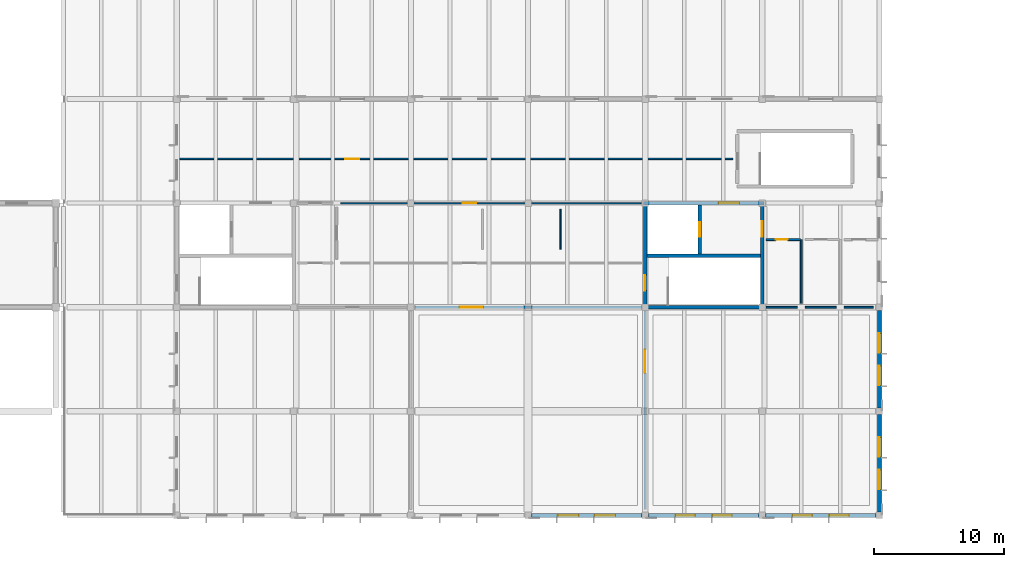
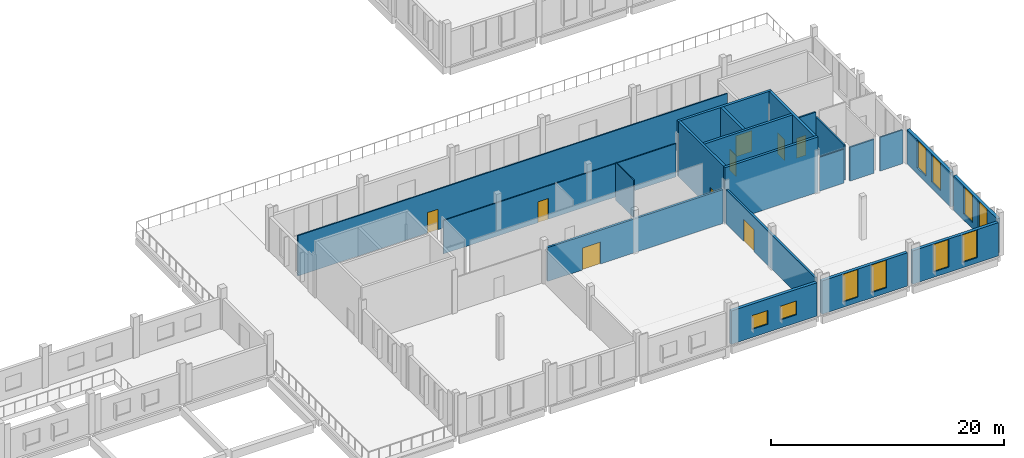
# One storey, part 13 of 25: 21 walls, 10 windows, 9 doors, 19 openings.
"""IFC4 building model written with IfcOpenShell, lengths in metres."""

from ifc_helpers import new_model, si_unit, direction, frame, frame_2d, origin, place, context, subcontext, project, spatial, rectangle, extrude, material, layer, layer_set, type_object, element, fill, save


model = new_model("IFC4")

# Units and contexts
model_context = context("Model", 3, precision=1e-05, world=origin(), true_north=direction((0.0, 1.0)))
body_context = subcontext(model_context, "Body", "Model", "MODEL_VIEW")
ifc_project = project(units=[si_unit("LENGTHUNIT", "METRE"), si_unit("AREAUNIT", "SQUARE_METRE"), si_unit("VOLUMEUNIT", "CUBIC_METRE"), si_unit("PLANEANGLEUNIT", "RADIAN"), si_unit("MASSUNIT", "GRAM", prefix="KILO")], contexts=[model_context])

# Site, building, storey
site_placement = place(None, origin())
site = spatial("IfcSite", under=ifc_project, at=site_placement, CompositionType="ELEMENT")
building_placement = place(site_placement, origin())
building = spatial("IfcBuilding", under=site, at=building_placement, Name="Zacnel Wholesale Market", CompositionType="ELEMENT")
storey_placement = place(building_placement, frame((0.0, 0.0, 15.75)))
storey = spatial("IfcBuildingStorey", under=building, at=storey_placement, Name="L04", CompositionType="ELEMENT", Elevation=15.75)

# Wall, opening, door
ifc_material_1 = material(Name="PIR insulated cold-store panel")
ifc_layer_1 = layer(ifc_material_1, 0.2099609375)
ifc_layer_set_1 = layer_set([ifc_layer_1], Name="PIR insulated cold-store panel")
wall_type_1 = type_object("IfcWallType", Name="WL-COLD-INT210", PredefinedType="STANDARD", material=ifc_layer_set_1)
wall_1_placement = place(storey_placement, frame((171.300048828125, 16.0, 0.0), z_axis=(0.0, 0.0, 1.0), x_axis=(1.0, 0.0, 0.0)))
wall_1 = element("IfcWall", 1, at=wall_1_placement, inside=storey, type_object=wall_type_1, Name="Interior partition L04-0215", PredefinedType="STANDARD", context=body_context, shape_type="SweptSolid", body=[
    extrude(rectangle(XDim=17.39990234375, YDim=0.2099609375, at=frame_2d((8.699951171875, 0.0))), origin(), (0.0, 0.0, 1.0), 3.550048828125),
])
opening_1_placement = place(wall_1_placement, frame((3.449951171875, 0.0, 0.0)))
opening_1 = element("IfcOpeningElement", 2, at=opening_1_placement, cuts=wall_1, Name="Opening FD-03", PredefinedType="OPENING", context=body_context, shape_type="SweptSolid", body=[
    extrude(rectangle(XDim=1.800048828125, YDim=2.300048828125, at=frame_2d((0.89990234375, 1.14990234375))), frame((0.0, 0.114990234375, 0.0), z_axis=(0.0, -1.0, 0.0), x_axis=(1.0, 0.0, 0.0)), (0.0, 0.0, 1.0), 0.22998046875),
])
ifc_material_2 = material(Name="Galvanized steel", Category="steel")
door_type_1 = type_object("IfcDoorType", Name="DR-FIRE-COMP-1800", OperationType="NOTDEFINED", PredefinedType="DOOR", material=ifc_material_2)
door_1_placement = place(opening_1_placement, origin())
door_1 = element("IfcDoor", 3, at=door_1_placement, inside=storey, type_object=door_type_1, Name="Interior door L04-0168", OperationType="SINGLE_SWING_LEFT", OverallHeight=2.300048828125, OverallWidth=1.800048828125, PredefinedType="DOOR", context=body_context, shape_type="SweptSolid", body=[
    extrude(rectangle(XDim=1.800048828125, YDim=2.300048828125, at=frame_2d((0.89990234375, 1.14990234375))), frame((0.0, 0.02490234375, 0.0), z_axis=(0.0, -1.0, 0.0), x_axis=(1.0, 0.0, 0.0)), (0.0, 0.0, 1.0), 0.050048828125),
])
fill(opening_1, door_1)

wall_2_placement = place(storey_placement, frame((189.0, 0.449951171875, 0.0), z_axis=(0.0, 0.0, 1.0), x_axis=(0.0, 1.0, 0.0)))
wall_2 = element("IfcWall", 4, at=wall_2_placement, inside=storey, type_object=wall_type_1, Name="Interior partition L04-0219", PredefinedType="STANDARD", context=body_context, shape_type="SweptSolid", body=[
    extrude(rectangle(XDim=15.25, YDim=0.2099609375, at=frame_2d((7.625, 0.0))), origin(), (0.0, 0.0, 1.0), 3.60009765625),
])
opening_2_placement = place(wall_2_placement, frame((10.5, 0.0, 0.0)))
opening_2 = element("IfcOpeningElement", 5, at=opening_2_placement, cuts=wall_2, Name="Opening FD-03", PredefinedType="OPENING", context=body_context, shape_type="SweptSolid", body=[
    extrude(rectangle(XDim=1.800048828125, YDim=2.300048828125, at=frame_2d((0.89990234375, 1.14990234375))), frame((0.0, 0.114990234375, 0.0), z_axis=(0.0, -1.0, 0.0), x_axis=(1.0, 0.0, 0.0)), (0.0, 0.0, 1.0), 0.22998046875),
])
door_2_placement = place(opening_2_placement, origin())
door_2 = element("IfcDoor", 6, at=door_2_placement, inside=storey, type_object=door_type_1, Name="Interior door L04-0171", OperationType="SINGLE_SWING_RIGHT", OverallHeight=2.300048828125, OverallWidth=1.800048828125, PredefinedType="DOOR", context=body_context, shape_type="SweptSolid", body=[
    extrude(rectangle(XDim=1.800048828125, YDim=2.300048828125, at=frame_2d((0.89990234375, 1.14990234375))), frame((0.0, 0.02490234375, 0.0), z_axis=(0.0, -1.0, 0.0), x_axis=(1.0, 0.0, 0.0)), (0.0, 0.0, 1.0), 0.050048828125),
])
fill(opening_2, door_2)

# Wall
ifc_material_3 = material(Name="Concrete C40/50", Category="concrete")
ifc_layer_2 = layer(ifc_material_3, 0.25)
ifc_layer_set_2 = layer_set([ifc_layer_2], Name="Concrete C40/50")
wall_type_2 = type_object("IfcWallType", Name="WL-CORE-SW250", PredefinedType="SOLIDWALL", material=ifc_layer_set_2)
wall_3_placement = place(storey_placement, frame((188.875, 16.0, 0.0), z_axis=(0.0, 0.0, 1.0), x_axis=(1.0, 0.0, 0.0)))
element("IfcWall", 7, at=wall_3_placement, inside=storey, type_object=wall_type_2, Name="Core C2 south shear wall L04", PredefinedType="SOLIDWALL", context=body_context, shape_type="SweptSolid", body=[
    extrude(rectangle(XDim=9.25, YDim=0.25, at=frame_2d((4.625, 0.0))), origin(), (0.0, 0.0, 1.0), 5.800048828125),
])

# Wall, opening, door
wall_4_placement = place(storey_placement, frame((188.875, 24.0, 0.0), z_axis=(0.0, 0.0, 1.0), x_axis=(1.0, 0.0, 0.0)))
wall_4 = element("IfcWall", 8, at=wall_4_placement, inside=storey, type_object=wall_type_2, Name="Core C2 north shear wall L04", PredefinedType="SOLIDWALL", context=body_context, shape_type="SweptSolid", body=[
    extrude(rectangle(XDim=9.25, YDim=0.25, at=frame_2d((4.625, 0.0))), origin(), (0.0, 0.0, 1.0), 5.800048828125),
])
opening_3_placement = place(wall_4_placement, frame((5.77490234375, 0.0, 0.0)))
opening_3 = element("IfcOpeningElement", 9, at=opening_3_placement, cuts=wall_4, Name="Opening FD-02", PredefinedType="OPENING", context=body_context, shape_type="SweptSolid", body=[
    extrude(rectangle(XDim=1.60009765625, YDim=2.199951171875, at=frame_2d((0.800048828125, 1.10009765625))), frame((0.0, 0.135009765625, 0.0), z_axis=(0.0, -1.0, 0.0), x_axis=(1.0, 0.0, 0.0)), (0.0, 0.0, 1.0), 0.27001953125),
])
ifc_material_4 = material(Name="Galvanized steel", Category="steel")
door_type_2 = type_object("IfcDoorType", Name="DR-FIRE-LOBBY-1600", OperationType="NOTDEFINED", PredefinedType="DOOR", material=ifc_material_4)
door_3_placement = place(opening_3_placement, origin())
door_3 = element("IfcDoor", 10, at=door_3_placement, inside=storey, type_object=door_type_2, Name="Core lift lobby fire door C2 L04", OperationType="SINGLE_SWING_LEFT", OverallHeight=2.199951171875, OverallWidth=1.60009765625, PredefinedType="DOOR", context=body_context, shape_type="SweptSolid", body=[
    extrude(rectangle(XDim=1.60009765625, YDim=2.199951171875, at=frame_2d((0.800048828125, 1.10009765625))), frame((0.0, 0.02490234375, 0.0), z_axis=(0.0, -1.0, 0.0), x_axis=(1.0, 0.0, 0.0)), (0.0, 0.0, 1.0), 0.050048828125),
])
fill(opening_3, door_3)

wall_5_placement = place(storey_placement, frame((189.0, 16.125, 0.0), z_axis=(0.0, 0.0, 1.0), x_axis=(0.0, 1.0, 0.0)))
wall_5 = element("IfcWall", 11, at=wall_5_placement, inside=storey, type_object=wall_type_2, Name="Core C2 west shear wall L04", PredefinedType="SOLIDWALL", context=body_context, shape_type="SweptSolid", body=[
    extrude(rectangle(XDim=7.75, YDim=0.25, at=frame_2d((3.875, 0.0))), origin(), (0.0, 0.0, 1.0), 5.800048828125),
])
opening_4_placement = place(wall_5_placement, frame((1.14990234375, 0.0, 0.0)))
opening_4 = element("IfcOpeningElement", 12, at=opening_4_placement, cuts=wall_5, Name="Opening FD-01", PredefinedType="OPENING", context=body_context, shape_type="SweptSolid", body=[
    extrude(rectangle(XDim=1.199951171875, YDim=2.199951171875, at=frame_2d((0.60009765625, 1.10009765625))), frame((0.0, 0.135009765625, 0.0), z_axis=(0.0, -1.0, 0.0), x_axis=(1.0, 0.0, 0.0)), (0.0, 0.0, 1.0), 0.27001953125),
])
ifc_material_5 = material(Name="Galvanized steel", Category="steel")
door_type_3 = type_object("IfcDoorType", Name="DR-FIRE-STAIR-1200", OperationType="NOTDEFINED", PredefinedType="DOOR", material=ifc_material_5)
door_4_placement = place(opening_4_placement, origin())
door_4 = element("IfcDoor", 13, at=door_4_placement, inside=storey, type_object=door_type_3, Name="Protected stair fire door C2 L04", OperationType="SINGLE_SWING_RIGHT", OverallHeight=2.199951171875, OverallWidth=1.199951171875, PredefinedType="DOOR", context=body_context, shape_type="SweptSolid", body=[
    extrude(rectangle(XDim=1.199951171875, YDim=2.199951171875, at=frame_2d((0.60009765625, 1.10009765625))), frame((0.0, 0.02490234375, 0.0), z_axis=(0.0, -1.0, 0.0), x_axis=(1.0, 0.0, 0.0)), (0.0, 0.0, 1.0), 0.050048828125),
])
fill(opening_4, door_4)

wall_6_placement = place(storey_placement, frame((198.0, 16.125, 0.0), z_axis=(0.0, 0.0, 1.0), x_axis=(0.0, 1.0, 0.0)))
wall_6 = element("IfcWall", 14, at=wall_6_placement, inside=storey, type_object=wall_type_2, Name="Core C2 east shear wall L04", PredefinedType="SOLIDWALL", context=body_context, shape_type="SweptSolid", body=[
    extrude(rectangle(XDim=7.75, YDim=0.25, at=frame_2d((3.875, 0.0))), origin(), (0.0, 0.0, 1.0), 5.800048828125),
])
opening_5_placement = place(wall_6_placement, frame((5.300048828125, 0.0, 0.0)))
opening_5 = element("IfcOpeningElement", 15, at=opening_5_placement, cuts=wall_6, Name="Opening FD-01", PredefinedType="OPENING", context=body_context, shape_type="SweptSolid", body=[
    extrude(rectangle(XDim=1.199951171875, YDim=2.199951171875, at=frame_2d((0.60009765625, 1.10009765625))), frame((0.0, 0.135009765625, 0.0), z_axis=(0.0, -1.0, 0.0), x_axis=(1.0, 0.0, 0.0)), (0.0, 0.0, 1.0), 0.27001953125),
])
door_5_placement = place(opening_5_placement, origin())
door_5 = element("IfcDoor", 16, at=door_5_placement, inside=storey, type_object=door_type_3, Name="Core east passage fire door C2 L04", OperationType="SINGLE_SWING_RIGHT", OverallHeight=2.199951171875, OverallWidth=1.199951171875, PredefinedType="DOOR", context=body_context, shape_type="SweptSolid", body=[
    extrude(rectangle(XDim=1.199951171875, YDim=2.199951171875, at=frame_2d((0.60009765625, 1.10009765625))), frame((0.0, 0.02490234375, 0.0), z_axis=(0.0, -1.0, 0.0), x_axis=(1.0, 0.0, 0.0)), (0.0, 0.0, 1.0), 0.050048828125),
])
fill(opening_5, door_5)

# Wall
wall_7_placement = place(storey_placement, frame((189.125, 19.949951171875, 0.0), z_axis=(0.0, 0.0, 1.0), x_axis=(1.0, 0.0, 0.0)))
element("IfcWall", 17, at=wall_7_placement, inside=storey, type_object=wall_type_2, Name="Core C2 stair-shaft shear wall L04", PredefinedType="SOLIDWALL", context=body_context, shape_type="SweptSolid", body=[
    extrude(rectangle(XDim=8.75, YDim=0.25, at=frame_2d((4.375, 0.0))), origin(), (0.0, 0.0, 1.0), 5.800048828125),
])

# Wall, opening, door
wall_8_placement = place(storey_placement, frame((193.199951171875, 20.074951171875, 0.0), z_axis=(0.0, 0.0, 1.0), x_axis=(0.0, 1.0, 0.0)))
wall_8 = element("IfcWall", 18, at=wall_8_placement, inside=storey, type_object=wall_type_2, Name="Core C2 lift shaft front wall L04", PredefinedType="SOLIDWALL", context=body_context, shape_type="SweptSolid", body=[
    extrude(rectangle(XDim=3.800048828125, YDim=0.25, at=frame_2d((1.89990234375, 0.0))), origin(), (0.0, 0.0, 1.0), 5.800048828125),
])
opening_6_placement = place(wall_8_placement, frame((1.35009765625, 0.0, 0.0)))
opening_6 = element("IfcOpeningElement", 19, at=opening_6_placement, cuts=wall_8, Name="Opening LD-01", PredefinedType="OPENING", context=body_context, shape_type="SweptSolid", body=[
    extrude(rectangle(XDim=1.10009765625, YDim=2.199951171875, at=frame_2d((0.550048828125, 1.10009765625))), frame((0.0, 0.135009765625, 0.0), z_axis=(0.0, -1.0, 0.0), x_axis=(1.0, 0.0, 0.0)), (0.0, 0.0, 1.0), 0.27001953125),
])
ifc_material_6 = material(Name="Galvanized steel", Category="steel")
door_type_4 = type_object("IfcDoorType", Name="DR-LIFT-PASS-1100", OperationType="NOTDEFINED", PredefinedType="DOOR", material=ifc_material_6)
door_6_placement = place(opening_6_placement, origin())
door_6 = element("IfcDoor", 20, at=door_6_placement, inside=storey, type_object=door_type_4, Name="Lift landing door LP-02 L04", OperationType="SLIDING_TO_LEFT", OverallHeight=2.199951171875, OverallWidth=1.10009765625, PredefinedType="DOOR", context=body_context, shape_type="SweptSolid", body=[
    extrude(rectangle(XDim=1.10009765625, YDim=2.199951171875, at=frame_2d((0.550048828125, 1.10009765625))), frame((0.0, 0.02490234375, 0.0), z_axis=(0.0, -1.0, 0.0), x_axis=(1.0, 0.0, 0.0)), (0.0, 0.0, 1.0), 0.050048828125),
])
fill(opening_6, door_6)

# Wall, openings, windows
ifc_material_7 = material(Name="Precast concrete C40/50 (Cancun limestone aggregate)", Category="masonry")
ifc_layer_3 = layer(ifc_material_7, 0.300048828125)
ifc_layer_set_3 = layer_set([ifc_layer_3], Name="Precast concrete C40/50 (Cancun limestone aggregate)")
wall_type_3 = type_object("IfcWallType", Name="WL-EXT-LIME-300", PredefinedType="SOLIDWALL", material=ifc_layer_set_3)
wall_9_placement = place(storey_placement, frame((180.25, 0.0, 0.0), z_axis=(0.0, 0.0, 1.0), x_axis=(1.0, 0.0, 0.0)))
wall_9 = element("IfcWall", 21, at=wall_9_placement, inside=storey, type_object=wall_type_3, Name="Exterior wall L04-0484", PredefinedType="SOLIDWALL", context=body_context, shape_type="SweptSolid", body=[
    extrude(rectangle(XDim=8.5, YDim=0.300048828125, at=frame_2d((4.25, 0.0))), origin(), (0.0, 0.0, 1.0), 3.5),
])
opening_7_placement = place(wall_9_placement, frame((2.032958984375, 0.0, 0.85009765625)))
opening_7 = element("IfcOpeningElement", 22, at=opening_7_placement, cuts=wall_9, Name="Opening W-06", PredefinedType="OPENING", context=body_context, shape_type="SweptSolid", body=[
    extrude(rectangle(XDim=1.60009765625, YDim=1.449951171875, at=frame_2d((0.800048828125, 0.72509765625))), frame((0.0, 0.159912109375, 0.0), z_axis=(0.0, -1.0, 0.0), x_axis=(1.0, 0.0, 0.0)), (0.0, 0.0, 1.0), 0.320068359375),
])
opening_8_placement = place(wall_9_placement, frame((4.866943359375, 0.0, 0.85009765625)))
opening_8 = element("IfcOpeningElement", 23, at=opening_8_placement, cuts=wall_9, Name="Opening W-06", PredefinedType="OPENING", context=body_context, shape_type="SweptSolid", body=[
    extrude(rectangle(XDim=1.60009765625, YDim=1.449951171875, at=frame_2d((0.800048828125, 0.72509765625))), frame((0.0, 0.159912109375, 0.0), z_axis=(0.0, -1.0, 0.0), x_axis=(1.0, 0.0, 0.0)), (0.0, 0.0, 1.0), 0.320068359375),
])
ifc_material_8 = material(Name="Laminated hurricane-impact low-E insulated glass", Category="glass")
window_type_1 = type_object("IfcWindowType", Name="WIN-HIG-1600X1450", PartitioningType="DOUBLE_PANEL_HORIZONTAL", PredefinedType="WINDOW", material=ifc_material_8)
window_1_placement = place(opening_7_placement, origin())
window_1 = element("IfcWindow", 24, at=window_1_placement, inside=storey, type_object=window_type_1, Name="Window L04-0514", OverallHeight=1.449951171875, OverallWidth=1.60009765625, PartitioningType="DOUBLE_PANEL_HORIZONTAL", PredefinedType="WINDOW", context=body_context, shape_type="SweptSolid", body=[
    extrude(rectangle(XDim=1.60009765625, YDim=1.449951171875, at=frame_2d((0.800048828125, 0.72509765625))), frame((0.0, 0.030029296875, 0.0), z_axis=(0.0, -1.0, 0.0), x_axis=(1.0, 0.0, 0.0)), (0.0, 0.0, 1.0), 0.06005859375),
])
fill(opening_7, window_1)
window_2_placement = place(opening_8_placement, origin())
window_2 = element("IfcWindow", 25, at=window_2_placement, inside=storey, type_object=window_type_1, Name="Window L04-0515", OverallHeight=1.449951171875, OverallWidth=1.60009765625, PartitioningType="DOUBLE_PANEL_HORIZONTAL", PredefinedType="WINDOW", context=body_context, shape_type="SweptSolid", body=[
    extrude(rectangle(XDim=1.60009765625, YDim=1.449951171875, at=frame_2d((0.800048828125, 0.72509765625))), frame((0.0, 0.030029296875, 0.0), z_axis=(0.0, -1.0, 0.0), x_axis=(1.0, 0.0, 0.0)), (0.0, 0.0, 1.0), 0.06005859375),
])
fill(opening_8, window_2)

wall_10_placement = place(storey_placement, frame((189.25, 0.0, 0.0), z_axis=(0.0, 0.0, 1.0), x_axis=(1.0, 0.0, 0.0)))
wall_10 = element("IfcWall", 26, at=wall_10_placement, inside=storey, type_object=wall_type_3, Name="Exterior wall L04-0485", PredefinedType="SOLIDWALL", context=body_context, shape_type="SweptSolid", body=[
    extrude(rectangle(XDim=8.5, YDim=0.300048828125, at=frame_2d((4.25, 0.0))), origin(), (0.0, 0.0, 1.0), 3.5),
])
opening_9_placement = place(wall_10_placement, frame((2.0830078125, 0.0, 0.56005859375)))
opening_9 = element("IfcOpeningElement", 27, at=opening_9_placement, cuts=wall_10, Name="Opening W-04", PredefinedType="OPENING", context=body_context, shape_type="SweptSolid", body=[
    extrude(rectangle(XDim=1.5, YDim=2.89990234375, at=frame_2d((0.75, 1.449951171875))), frame((0.0, 0.159912109375, 0.0), z_axis=(0.0, -1.0, 0.0), x_axis=(1.0, 0.0, 0.0)), (0.0, 0.0, 1.0), 0.320068359375),
])
opening_10_placement = place(wall_10_placement, frame((4.9169921875, 0.0, 0.56005859375)))
opening_10 = element("IfcOpeningElement", 28, at=opening_10_placement, cuts=wall_10, Name="Opening W-04", PredefinedType="OPENING", context=body_context, shape_type="SweptSolid", body=[
    extrude(rectangle(XDim=1.5, YDim=2.89990234375, at=frame_2d((0.75, 1.449951171875))), frame((0.0, 0.159912109375, 0.0), z_axis=(0.0, -1.0, 0.0), x_axis=(1.0, 0.0, 0.0)), (0.0, 0.0, 1.0), 0.320068359375),
])
ifc_material_9 = material(Name="Laminated hurricane-impact low-E insulated glass", Category="glass")
window_type_2 = type_object("IfcWindowType", Name="WIN-DEC-1500X2900", PartitioningType="DOUBLE_PANEL_VERTICAL", PredefinedType="WINDOW", material=ifc_material_9)
window_3_placement = place(opening_9_placement, origin())
window_3 = element("IfcWindow", 29, at=window_3_placement, inside=storey, type_object=window_type_2, Name="Window L04-0516", OverallHeight=2.89990234375, OverallWidth=1.5, PartitioningType="DOUBLE_PANEL_VERTICAL", PredefinedType="WINDOW", context=body_context, shape_type="SweptSolid", body=[
    extrude(rectangle(XDim=1.5, YDim=2.89990234375, at=frame_2d((0.75, 1.449951171875))), frame((0.0, 0.030029296875, 0.0), z_axis=(0.0, -1.0, 0.0), x_axis=(1.0, 0.0, 0.0)), (0.0, 0.0, 1.0), 0.06005859375),
])
fill(opening_9, window_3)
window_4_placement = place(opening_10_placement, origin())
window_4 = element("IfcWindow", 30, at=window_4_placement, inside=storey, type_object=window_type_2, Name="Window L04-0517", OverallHeight=2.89990234375, OverallWidth=1.5, PartitioningType="DOUBLE_PANEL_VERTICAL", PredefinedType="WINDOW", context=body_context, shape_type="SweptSolid", body=[
    extrude(rectangle(XDim=1.5, YDim=2.89990234375, at=frame_2d((0.75, 1.449951171875))), frame((0.0, 0.030029296875, 0.0), z_axis=(0.0, -1.0, 0.0), x_axis=(1.0, 0.0, 0.0)), (0.0, 0.0, 1.0), 0.06005859375),
])
fill(opening_10, window_4)

wall_11_placement = place(storey_placement, frame((198.25, 0.0, 0.0), z_axis=(0.0, 0.0, 1.0), x_axis=(1.0, 0.0, 0.0)))
wall_11 = element("IfcWall", 31, at=wall_11_placement, inside=storey, type_object=wall_type_3, Name="Exterior wall L04-0486", PredefinedType="SOLIDWALL", context=body_context, shape_type="SweptSolid", body=[
    extrude(rectangle(XDim=8.5, YDim=0.300048828125, at=frame_2d((4.25, 0.0))), origin(), (0.0, 0.0, 1.0), 3.5),
])
opening_11_placement = place(wall_11_placement, frame((2.0830078125, 0.0, 0.56005859375)))
opening_11 = element("IfcOpeningElement", 32, at=opening_11_placement, cuts=wall_11, Name="Opening W-04", PredefinedType="OPENING", context=body_context, shape_type="SweptSolid", body=[
    extrude(rectangle(XDim=1.5, YDim=2.89990234375, at=frame_2d((0.75, 1.449951171875))), frame((0.0, 0.159912109375, 0.0), z_axis=(0.0, -1.0, 0.0), x_axis=(1.0, 0.0, 0.0)), (0.0, 0.0, 1.0), 0.320068359375),
])
opening_12_placement = place(wall_11_placement, frame((4.9169921875, 0.0, 0.56005859375)))
opening_12 = element("IfcOpeningElement", 33, at=opening_12_placement, cuts=wall_11, Name="Opening W-04", PredefinedType="OPENING", context=body_context, shape_type="SweptSolid", body=[
    extrude(rectangle(XDim=1.5, YDim=2.89990234375, at=frame_2d((0.75, 1.449951171875))), frame((0.0, 0.159912109375, 0.0), z_axis=(0.0, -1.0, 0.0), x_axis=(1.0, 0.0, 0.0)), (0.0, 0.0, 1.0), 0.320068359375),
])
window_5_placement = place(opening_11_placement, origin())
window_5 = element("IfcWindow", 34, at=window_5_placement, inside=storey, type_object=window_type_2, Name="Window L04-0518", OverallHeight=2.89990234375, OverallWidth=1.5, PartitioningType="DOUBLE_PANEL_VERTICAL", PredefinedType="WINDOW", context=body_context, shape_type="SweptSolid", body=[
    extrude(rectangle(XDim=1.5, YDim=2.89990234375, at=frame_2d((0.75, 1.449951171875))), frame((0.0, 0.030029296875, 0.0), z_axis=(0.0, -1.0, 0.0), x_axis=(1.0, 0.0, 0.0)), (0.0, 0.0, 1.0), 0.06005859375),
])
fill(opening_11, window_5)
window_6_placement = place(opening_12_placement, origin())
window_6 = element("IfcWindow", 35, at=window_6_placement, inside=storey, type_object=window_type_2, Name="Window L04-0519", OverallHeight=2.89990234375, OverallWidth=1.5, PartitioningType="DOUBLE_PANEL_VERTICAL", PredefinedType="WINDOW", context=body_context, shape_type="SweptSolid", body=[
    extrude(rectangle(XDim=1.5, YDim=2.89990234375, at=frame_2d((0.75, 1.449951171875))), frame((0.0, 0.030029296875, 0.0), z_axis=(0.0, -1.0, 0.0), x_axis=(1.0, 0.0, 0.0)), (0.0, 0.0, 1.0), 0.06005859375),
])
fill(opening_12, window_6)

wall_12_placement = place(storey_placement, frame((207.0, 0.25, 0.0), z_axis=(0.0, 0.0, 1.0), x_axis=(0.0, 1.0, 0.0)))
wall_12 = element("IfcWall", 36, at=wall_12_placement, inside=storey, type_object=wall_type_3, Name="Exterior wall L04-0496", PredefinedType="SOLIDWALL", context=body_context, shape_type="SweptSolid", body=[
    extrude(rectangle(XDim=7.5, YDim=0.300048828125, at=frame_2d((3.75, 0.0))), origin(), (0.0, 0.0, 1.0), 3.60009765625),
])
opening_13_placement = place(wall_12_placement, frame((1.75, 0.0, 0.659912109375)))
opening_13 = element("IfcOpeningElement", 37, at=opening_13_placement, cuts=wall_12, Name="Opening W-04", PredefinedType="OPENING", context=body_context, shape_type="SweptSolid", body=[
    extrude(rectangle(XDim=1.5, YDim=2.89990234375, at=frame_2d((0.75, 1.449951171875))), frame((0.0, 0.159912109375, 0.0), z_axis=(0.0, -1.0, 0.0), x_axis=(1.0, 0.0, 0.0)), (0.0, 0.0, 1.0), 0.320068359375),
])
opening_14_placement = place(wall_12_placement, frame((4.25, 0.0, 0.659912109375)))
opening_14 = element("IfcOpeningElement", 38, at=opening_14_placement, cuts=wall_12, Name="Opening W-04", PredefinedType="OPENING", context=body_context, shape_type="SweptSolid", body=[
    extrude(rectangle(XDim=1.5, YDim=2.89990234375, at=frame_2d((0.75, 1.449951171875))), frame((0.0, 0.159912109375, 0.0), z_axis=(0.0, -1.0, 0.0), x_axis=(1.0, 0.0, 0.0)), (0.0, 0.0, 1.0), 0.320068359375),
])
window_7_placement = place(opening_13_placement, origin())
window_7 = element("IfcWindow", 39, at=window_7_placement, inside=storey, type_object=window_type_2, Name="Window L04-0532", OverallHeight=2.89990234375, OverallWidth=1.5, PartitioningType="DOUBLE_PANEL_VERTICAL", PredefinedType="WINDOW", context=body_context, shape_type="SweptSolid", body=[
    extrude(rectangle(XDim=1.5, YDim=2.89990234375, at=frame_2d((0.75, 1.449951171875))), frame((0.0, 0.030029296875, 0.0), z_axis=(0.0, -1.0, 0.0), x_axis=(1.0, 0.0, 0.0)), (0.0, 0.0, 1.0), 0.06005859375),
])
fill(opening_13, window_7)
window_8_placement = place(opening_14_placement, origin())
window_8 = element("IfcWindow", 40, at=window_8_placement, inside=storey, type_object=window_type_2, Name="Window L04-0533", OverallHeight=2.89990234375, OverallWidth=1.5, PartitioningType="DOUBLE_PANEL_VERTICAL", PredefinedType="WINDOW", context=body_context, shape_type="SweptSolid", body=[
    extrude(rectangle(XDim=1.5, YDim=2.89990234375, at=frame_2d((0.75, 1.449951171875))), frame((0.0, 0.030029296875, 0.0), z_axis=(0.0, -1.0, 0.0), x_axis=(1.0, 0.0, 0.0)), (0.0, 0.0, 1.0), 0.06005859375),
])
fill(opening_14, window_8)

wall_13_placement = place(storey_placement, frame((207.0, 8.25, 0.0), z_axis=(0.0, 0.0, 1.0), x_axis=(0.0, 1.0, 0.0)))
wall_13 = element("IfcWall", 41, at=wall_13_placement, inside=storey, type_object=wall_type_3, Name="Exterior wall L04-0497", PredefinedType="SOLIDWALL", context=body_context, shape_type="SweptSolid", body=[
    extrude(rectangle(XDim=7.5, YDim=0.300048828125, at=frame_2d((3.75, 0.0))), origin(), (0.0, 0.0, 1.0), 3.60009765625),
])
opening_15_placement = place(wall_13_placement, frame((1.75, 0.0, 0.659912109375)))
opening_15 = element("IfcOpeningElement", 42, at=opening_15_placement, cuts=wall_13, Name="Opening W-04", PredefinedType="OPENING", context=body_context, shape_type="SweptSolid", body=[
    extrude(rectangle(XDim=1.5, YDim=2.89990234375, at=frame_2d((0.75, 1.449951171875))), frame((0.0, 0.159912109375, 0.0), z_axis=(0.0, -1.0, 0.0), x_axis=(1.0, 0.0, 0.0)), (0.0, 0.0, 1.0), 0.320068359375),
])
opening_16_placement = place(wall_13_placement, frame((4.25, 0.0, 0.659912109375)))
opening_16 = element("IfcOpeningElement", 43, at=opening_16_placement, cuts=wall_13, Name="Opening W-04", PredefinedType="OPENING", context=body_context, shape_type="SweptSolid", body=[
    extrude(rectangle(XDim=1.5, YDim=2.89990234375, at=frame_2d((0.75, 1.449951171875))), frame((0.0, 0.159912109375, 0.0), z_axis=(0.0, -1.0, 0.0), x_axis=(1.0, 0.0, 0.0)), (0.0, 0.0, 1.0), 0.320068359375),
])
window_9_placement = place(opening_15_placement, origin())
window_9 = element("IfcWindow", 44, at=window_9_placement, inside=storey, type_object=window_type_2, Name="Window L04-0534", OverallHeight=2.89990234375, OverallWidth=1.5, PartitioningType="DOUBLE_PANEL_VERTICAL", PredefinedType="WINDOW", context=body_context, shape_type="SweptSolid", body=[
    extrude(rectangle(XDim=1.5, YDim=2.89990234375, at=frame_2d((0.75, 1.449951171875))), frame((0.0, 0.030029296875, 0.0), z_axis=(0.0, -1.0, 0.0), x_axis=(1.0, 0.0, 0.0)), (0.0, 0.0, 1.0), 0.06005859375),
])
fill(opening_15, window_9)
window_10_placement = place(opening_16_placement, origin())
window_10 = element("IfcWindow", 45, at=window_10_placement, inside=storey, type_object=window_type_2, Name="Window L04-0535", OverallHeight=2.89990234375, OverallWidth=1.5, PartitioningType="DOUBLE_PANEL_VERTICAL", PredefinedType="WINDOW", context=body_context, shape_type="SweptSolid", body=[
    extrude(rectangle(XDim=1.5, YDim=2.89990234375, at=frame_2d((0.75, 1.449951171875))), frame((0.0, 0.030029296875, 0.0), z_axis=(0.0, -1.0, 0.0), x_axis=(1.0, 0.0, 0.0)), (0.0, 0.0, 1.0), 0.06005859375),
])
fill(opening_16, window_10)

# Wall
ifc_material_10 = material(Name="Acoustic operable partition system")
ifc_layer_4 = layer(ifc_material_10, 0.094970703125)
ifc_layer_set_4 = layer_set([ifc_layer_4], Name="Acoustic operable partition system")
wall_type_4 = type_object("IfcWallType", Name="WL-MOV-AC95", PredefinedType="MOVABLE", material=ifc_layer_set_4)
wall_14_placement = place(storey_placement, frame((182.5, 20.449951171875, 0.0), z_axis=(0.0, 0.0, 1.0), x_axis=(0.0, 1.0, 0.0)))
element("IfcWall", 46, at=wall_14_placement, inside=storey, type_object=wall_type_4, Name="Acoustic operable stall divider 02", PredefinedType="MOVABLE", context=body_context, shape_type="SweptSolid", body=[
    extrude(rectangle(XDim=3.10009765625, YDim=0.094970703125, at=frame_2d((1.550048828125, 0.0))), origin(), (0.0, 0.0, 1.0), 3.949951171875),
])

# Wall, opening, door
ifc_material_11 = material(Name="Moisture-resistant gypsum board partition")
ifc_layer_5 = layer(ifc_material_11, 0.10009765625)
ifc_layer_set_5 = layer_set([ifc_layer_5], Name="Moisture-resistant gypsum board partition")
wall_type_5 = type_object("IfcWallType", Name="WL-PART-GYP100", PredefinedType="PARTITIONING", material=ifc_layer_set_5)
wall_15_placement = place(storey_placement, frame((165.60009765625, 24.0, 0.0), z_axis=(0.0, 0.0, 1.0), x_axis=(1.0, 0.0, 0.0)))
wall_15 = element("IfcWall", 47, at=wall_15_placement, inside=storey, type_object=wall_type_5, Name="Interior partition L04-0212", PredefinedType="PARTITIONING", context=body_context, shape_type="SweptSolid", body=[
    extrude(rectangle(XDim=23.099853515625, YDim=0.10009765625, at=frame_2d((11.5498046875, 0.0))), origin(), (0.0, 0.0, 1.0), 3.5),
])
opening_17_placement = place(wall_15_placement, frame((9.389892578125, 0.0, 0.0)))
opening_17 = element("IfcOpeningElement", 48, at=opening_17_placement, cuts=wall_15, Name="Opening ID-12", PredefinedType="OPENING", context=body_context, shape_type="SweptSolid", body=[
    extrude(rectangle(XDim=1.02001953125, YDim=2.179931640625, at=frame_2d((0.510009765625, 1.08984375))), frame((0.0, 0.06005859375, 0.0), z_axis=(0.0, -1.0, 0.0), x_axis=(1.0, 0.0, 0.0)), (0.0, 0.0, 1.0), 0.1201171875),
])
ifc_material_12 = material(Name="Solid-core tropical hardwood door", Category="wood")
door_type_5 = type_object("IfcDoorType", Name="DR-OFF-SGL-1020", OperationType="NOTDEFINED", PredefinedType="DOOR", material=ifc_material_12)
door_7_placement = place(opening_17_placement, origin())
door_7 = element("IfcDoor", 49, at=door_7_placement, inside=storey, type_object=door_type_5, Name="Interior door L04-0165", OperationType="SINGLE_SWING_RIGHT", OverallHeight=2.179931640625, OverallWidth=1.02001953125, PredefinedType="DOOR", context=body_context, shape_type="SweptSolid", body=[
    extrude(rectangle(XDim=1.02001953125, YDim=2.179931640625, at=frame_2d((0.510009765625, 1.08984375))), frame((0.0, 0.02490234375, 0.0), z_axis=(0.0, -1.0, 0.0), x_axis=(1.0, 0.0, 0.0)), (0.0, 0.0, 1.0), 0.050048828125),
])
fill(opening_17, door_7)

ifc_material_13 = material(Name="Moisture-resistant gypsum board partition")
ifc_layer_6 = layer(ifc_material_13, 0.125)
ifc_layer_set_6 = layer_set([ifc_layer_6], Name="Moisture-resistant gypsum board partition")
wall_type_6 = type_object("IfcWallType", Name="WL-PART-GYP125", PredefinedType="PARTITIONING", material=ifc_layer_set_6)
wall_16_placement = place(storey_placement, frame((153.1298828125, 27.39990234375, 0.0), z_axis=(0.0, 0.0, 1.0), x_axis=(1.0, 0.0, 0.0)))
wall_16 = element("IfcWall", 50, at=wall_16_placement, inside=storey, type_object=wall_type_6, Name="Interior partition L04-0210", PredefinedType="PARTITIONING", context=body_context, shape_type="SweptSolid", body=[
    extrude(rectangle(XDim=42.6201171875, YDim=0.125, at=frame_2d((21.31005859375, 0.0))), origin(), (0.0, 0.0, 1.0), 4.22998046875),
])
opening_18_placement = place(wall_16_placement, frame((12.830078125, 0.0, 0.0)))
opening_18 = element("IfcOpeningElement", 51, at=opening_18_placement, cuts=wall_16, Name="Opening ID-10", PredefinedType="OPENING", context=body_context, shape_type="SweptSolid", body=[
    extrude(rectangle(XDim=1.080078125, YDim=2.14990234375, at=frame_2d((0.5400390625, 1.074951171875))), frame((0.0, 0.072509765625, 0.0), z_axis=(0.0, -1.0, 0.0), x_axis=(1.0, 0.0, 0.0)), (0.0, 0.0, 1.0), 0.14501953125),
])
ifc_material_14 = material(Name="Galvanized steel", Category="steel")
door_type_6 = type_object("IfcDoorType", Name="DR-STR-SGL-1080", OperationType="NOTDEFINED", PredefinedType="DOOR", material=ifc_material_14)
door_8_placement = place(opening_18_placement, origin())
door_8 = element("IfcDoor", 52, at=door_8_placement, inside=storey, type_object=door_type_6, Name="Interior door L04-0163", OperationType="SINGLE_SWING_RIGHT", OverallHeight=2.14990234375, OverallWidth=1.080078125, PredefinedType="DOOR", context=body_context, shape_type="SweptSolid", body=[
    extrude(rectangle(XDim=1.080078125, YDim=2.14990234375, at=frame_2d((0.5400390625, 1.074951171875))), frame((0.0, 0.02490234375, 0.0), z_axis=(0.0, -1.0, 0.0), x_axis=(1.0, 0.0, 0.0)), (0.0, 0.0, 1.0), 0.050048828125),
])
fill(opening_18, door_8)

# Walls
ifc_material_15 = material(Name="Concrete blockwork masonry", Category="masonry")
ifc_layer_7 = layer(ifc_material_15, 0.135009765625)
ifc_layer_set_7 = layer_set([ifc_layer_7], Name="Concrete blockwork masonry")
wall_type_7 = type_object("IfcWallType", Name="WL-PART-MAS135", PredefinedType="PARTITIONING", material=ifc_layer_set_7)
wall_17_placement = place(storey_placement, frame((198.300048828125, 16.0, 0.0), z_axis=(0.0, 0.0, 1.0), x_axis=(1.0, 0.0, 0.0)))
element("IfcWall", 53, at=wall_17_placement, inside=storey, type_object=wall_type_7, Name="Interior partition L04-0220", PredefinedType="PARTITIONING", context=body_context, shape_type="SweptSolid", body=[
    extrude(rectangle(XDim=2.39990234375, YDim=0.135009765625, at=frame_2d((1.199951171875, 0.0))), origin(), (0.0, 0.0, 1.0), 3.550048828125),
])
wall_18_placement = place(storey_placement, frame((204.300048828125, 16.0, 0.0), z_axis=(0.0, 0.0, 1.0), x_axis=(1.0, 0.0, 0.0)))
element("IfcWall", 54, at=wall_18_placement, inside=storey, type_object=wall_type_7, Name="Interior partition L04-0222", PredefinedType="PARTITIONING", context=body_context, shape_type="SweptSolid", body=[
    extrude(rectangle(XDim=2.25, YDim=0.135009765625, at=frame_2d((1.125, 0.0))), origin(), (0.0, 0.0, 1.0), 3.550048828125),
])
wall_19_placement = place(storey_placement, frame((201.0, 16.300048828125, 0.0), z_axis=(0.0, 0.0, 1.0), x_axis=(0.0, 1.0, 0.0)))
element("IfcWall", 55, at=wall_19_placement, inside=storey, type_object=wall_type_7, Name="Interior partition L04-0226", PredefinedType="PARTITIONING", context=body_context, shape_type="SweptSolid", body=[
    extrude(rectangle(XDim=4.89990234375, YDim=0.135009765625, at=frame_2d((2.449951171875, 0.0))), origin(), (0.0, 0.0, 1.0), 3.699951171875),
])
ifc_material_16 = material(Name="Concrete blockwork masonry", Category="masonry")
ifc_layer_8 = layer(ifc_material_16, 0.14990234375)
ifc_layer_set_8 = layer_set([ifc_layer_8], Name="Concrete blockwork masonry")
wall_type_8 = type_object("IfcWallType", Name="WL-PART-MAS150", PredefinedType="PARTITIONING", material=ifc_layer_set_8)
wall_20_placement = place(storey_placement, frame((201.300048828125, 16.0, 0.0), z_axis=(0.0, 0.0, 1.0), x_axis=(1.0, 0.0, 0.0)))
element("IfcWall", 56, at=wall_20_placement, inside=storey, type_object=wall_type_8, Name="Interior partition L04-0221", PredefinedType="PARTITIONING", context=body_context, shape_type="SweptSolid", body=[
    extrude(rectangle(XDim=2.39990234375, YDim=0.14990234375, at=frame_2d((1.199951171875, 0.0))), origin(), (0.0, 0.0, 1.0), 3.550048828125),
])

# Wall, opening, door
wall_21_placement = place(storey_placement, frame((198.300048828125, 21.199951171875, 0.0), z_axis=(0.0, 0.0, 1.0), x_axis=(1.0, 0.0, 0.0)))
wall_21 = element("IfcWall", 57, at=wall_21_placement, inside=storey, type_object=wall_type_8, Name="Interior partition L04-0223", PredefinedType="PARTITIONING", context=body_context, shape_type="SweptSolid", body=[
    extrude(rectangle(XDim=2.632568359375, YDim=0.14990234375, at=frame_2d((1.31640625, 0.0))), origin(), (0.0, 0.0, 1.0), 4.22998046875),
])
opening_19_placement = place(wall_21_placement, frame((0.739990234375, 0.0, 0.0)))
opening_19 = element("IfcOpeningElement", 58, at=opening_19_placement, cuts=wall_21, Name="Opening ID-08", PredefinedType="OPENING", context=body_context, shape_type="SweptSolid", body=[
    extrude(rectangle(XDim=0.919921875, YDim=2.10009765625, at=frame_2d((0.4599609375, 1.050048828125))), frame((0.0, 0.0849609375, 0.0), z_axis=(0.0, -1.0, 0.0), x_axis=(1.0, 0.0, 0.0)), (0.0, 0.0, 1.0), 0.169921875),
])
ifc_material_17 = material(Name="Solid-core tropical hardwood door", Category="wood")
door_type_7 = type_object("IfcDoorType", Name="DR-WC-STD-920", OperationType="NOTDEFINED", PredefinedType="DOOR", material=ifc_material_17)
door_9_placement = place(opening_19_placement, origin())
door_9 = element("IfcDoor", 59, at=door_9_placement, inside=storey, type_object=door_type_7, Name="Interior door L04-0172", OperationType="SINGLE_SWING_LEFT", OverallHeight=2.10009765625, OverallWidth=0.919921875, PredefinedType="DOOR", context=body_context, shape_type="SweptSolid", body=[
    extrude(rectangle(XDim=0.919921875, YDim=2.10009765625, at=frame_2d((0.4599609375, 1.050048828125))), frame((0.0, 0.02490234375, 0.0), z_axis=(0.0, -1.0, 0.0), x_axis=(1.0, 0.0, 0.0)), (0.0, 0.0, 1.0), 0.050048828125),
])
fill(opening_19, door_9)

save(model, "model.ifc")
